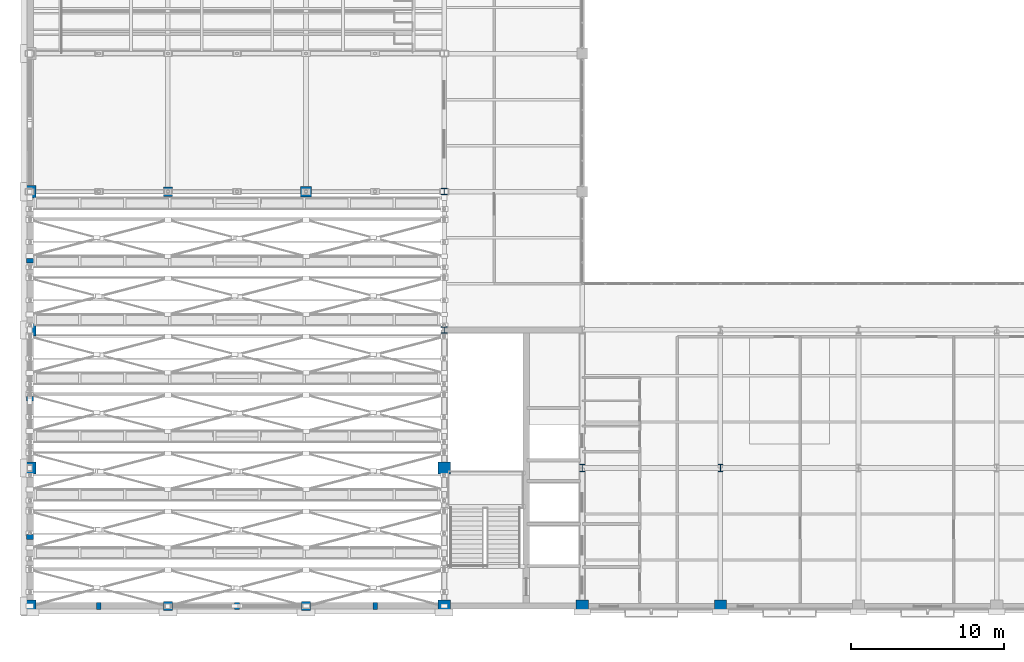
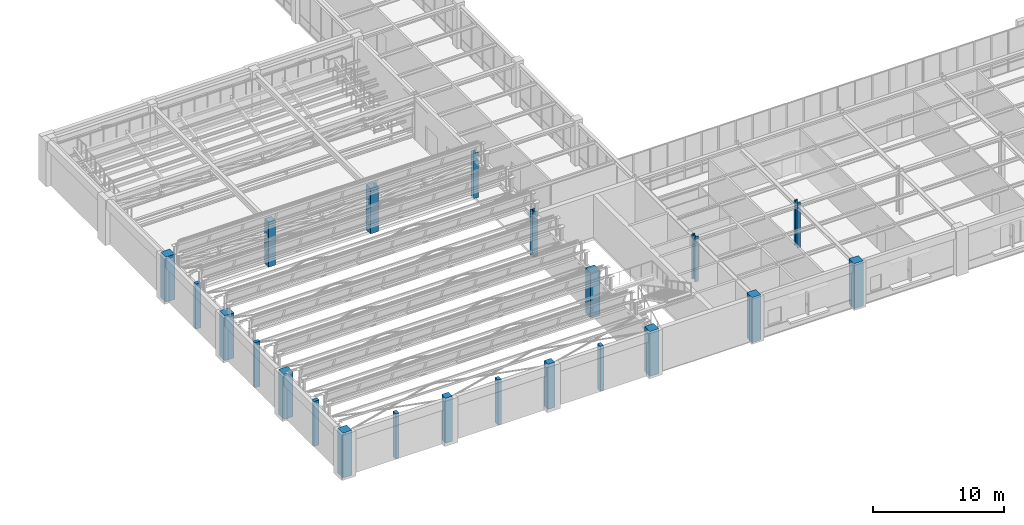
# One storey, part 1 of 108: 22 columns.
"""IFC4 building model written with IfcOpenShell, lengths in metres."""

from ifc_helpers import new_model, si_unit, direction, frame, origin, origin_2d, place, context, subcontext, project, spatial, rectangle, i_section, extrude, material, material_profile, profile_set, type_object, element, save


model = new_model("IFC4")

# Units and contexts
model_context = context("Model", 3, precision=1e-05, world=origin(), true_north=direction((0.0, 1.0)))
body_context = subcontext(model_context, "Body", "Model", "MODEL_VIEW")
ifc_project = project(units=[si_unit("LENGTHUNIT", "METRE"), si_unit("AREAUNIT", "SQUARE_METRE"), si_unit("VOLUMEUNIT", "CUBIC_METRE"), si_unit("PLANEANGLEUNIT", "RADIAN"), si_unit("MASSUNIT", "GRAM", prefix="KILO")], contexts=[model_context])

# Site, building, storey
site_placement = place(None, origin())
site = spatial("IfcSite", under=ifc_project, at=site_placement, CompositionType="ELEMENT")
building_placement = place(site_placement, origin())
building = spatial("IfcBuilding", under=site, at=building_placement, Name="Lykobir Media Centre", CompositionType="ELEMENT")
storey_placement = place(building_placement, frame((0.0, 0.0, 15.0)))
storey = spatial("IfcBuildingStorey", under=building, at=storey_placement, Name="L03", CompositionType="ELEMENT", Elevation=15.0)

# Columns
ifc_material_1 = material(Name="Honed Travertine Stone", Category="masonry")
ifc_material_profile_1 = material_profile(ifc_material_1, rectangle(XDim=0.300048828125, YDim=0.449951171875, at=origin_2d()), Name="RC PILASTER 450x300")
ifc_profile_set_1 = profile_set([ifc_material_profile_1], Name="Honed Travertine Stone")
column_type_1 = type_object("IfcColumnType", Name="PIL-450", PredefinedType="PILASTER", material=ifc_profile_set_1)
for number, where, z_axis, x_axis, name in (
    (1, (4.5, 0.0, 0.0), (0.0, 0.0, 1.0), (1.0, 0.0, 0.0), "V1 south pilaster L03 4.5"),
    (2, (13.5, 0.0, 0.0), (0.0, 0.0, 1.0), (1.0, 0.0, 0.0), "V1 south pilaster L03 13.5"),
    (3, (22.5, 0.0, 0.0), (0.0, 0.0, 1.0), (1.0, 0.0, 0.0), "V1 south pilaster L03 22.5"),
    (4, (0.0, 4.5, 0.0), (0.0, 0.0, 1.0), (0.0, 1.0, 0.0), "V1 west pilaster L03 4.5"),
    (5, (0.0, 13.5, 0.0), (0.0, 0.0, 1.0), (0.0, 1.0, 0.0), "V1 west pilaster L03 13.5"),
    (6, (0.0, 22.5, 0.0), (0.0, 0.0, 1.0), (0.0, 1.0, 0.0), "V1 west pilaster L03 22.5"),
):
    element("IfcColumn", number, at=place(storey_placement, frame(where, z_axis=z_axis, x_axis=x_axis)), inside=storey, type_object=column_type_1, Name=name, PredefinedType="PILASTER", context=body_context, shape_type="SweptSolid", body=[
        extrude(rectangle(XDim=0.300048828125, YDim=0.449951171875, at=origin_2d()), origin(), (0.0, 0.0, 1.0), 4.199951171875),
    ])
ifc_material_2 = material(Name="Concrete C40/50", Category="concrete")
ifc_material_profile_2 = material_profile(ifc_material_2, rectangle(XDim=0.60009765625, YDim=0.60009765625, at=origin_2d()), Name="RC 600x600")
ifc_profile_set_2 = profile_set([ifc_material_profile_2], Name="Concrete C40/50")
column_type_2 = type_object("IfcColumnType", Name="RC-C600", PredefinedType="COLUMN", material=ifc_profile_set_2)
column_1_placement = place(storey_placement, frame((9.0, 27.0, 0.0), z_axis=(0.0, 0.0, 1.0), x_axis=(1.0, 0.0, 0.0)))
element("IfcColumn", 7, at=column_1_placement, inside=storey, type_object=column_type_2, Name="Column COL-L03-0090-0270", PredefinedType="COLUMN", context=body_context, shape_type="SweptSolid", body=[
    extrude(rectangle(XDim=0.60009765625, YDim=0.60009765625, at=origin_2d()), origin(), (0.0, 0.0, 1.0), 4.199951171875),
])
ifc_material_profile_3 = material_profile(ifc_material_2, rectangle(XDim=0.60009765625, YDim=0.60009765625, at=origin_2d()), Name="RC 600x600")
ifc_profile_set_3 = profile_set([ifc_material_profile_3], Name="Concrete C40/50")
column_type_3 = type_object("IfcColumnType", Name="RC-C600-E", PredefinedType="COLUMN", material=ifc_profile_set_3)
for number, where, z_axis, x_axis, name in (
    (8, (9.0, 0.0, 0.0), (0.0, 0.0, 1.0), (1.0, 0.0, 0.0), "Column COL-L03-0090-0000"),
    (9, (18.0, 0.0, 0.0), (0.0, 0.0, 1.0), (1.0, 0.0, 0.0), "Column COL-L03-0180-0000"),
):
    element("IfcColumn", number, at=place(storey_placement, frame(where, z_axis=z_axis, x_axis=x_axis)), inside=storey, type_object=column_type_3, Name=name, PredefinedType="COLUMN", context=body_context, shape_type="SweptSolid", body=[
        extrude(rectangle(XDim=0.60009765625, YDim=0.60009765625, at=origin_2d()), origin(), (0.0, 0.0, 1.0), 4.199951171875),
    ])
ifc_material_profile_4 = material_profile(ifc_material_2, rectangle(XDim=0.699951171875, YDim=0.699951171875, at=origin_2d()), Name="RC 700x700")
ifc_profile_set_4 = profile_set([ifc_material_profile_4], Name="Concrete C40/50")
column_type_4 = type_object("IfcColumnType", Name="RC-C700", PredefinedType="COLUMN", material=ifc_profile_set_4)
column_2_placement = place(storey_placement, frame((18.0, 27.0, 0.0), z_axis=(0.0, 0.0, 1.0), x_axis=(1.0, 0.0, 0.0)))
element("IfcColumn", 10, at=column_2_placement, inside=storey, type_object=column_type_4, Name="Column COL-L03-0180-0270", PredefinedType="COLUMN", context=body_context, shape_type="SweptSolid", body=[
    extrude(rectangle(XDim=0.699951171875, YDim=0.699951171875, at=origin_2d()), origin(), (0.0, 0.0, 1.0), 4.199951171875),
])
ifc_material_profile_5 = material_profile(ifc_material_2, rectangle(XDim=0.800048828125, YDim=0.800048828125, at=origin_2d()), Name="RC 800x800")
ifc_profile_set_5 = profile_set([ifc_material_profile_5], Name="Concrete C40/50")
column_type_5 = type_object("IfcColumnType", Name="RC-C800", PredefinedType="COLUMN", material=ifc_profile_set_5)
column_3_placement = place(storey_placement, frame((27.0, 9.0, 0.0), z_axis=(0.0, 0.0, 1.0), x_axis=(1.0, 0.0, 0.0)))
element("IfcColumn", 11, at=column_3_placement, inside=storey, type_object=column_type_5, Name="Column COL-L03-0270-0090", PredefinedType="COLUMN", context=body_context, shape_type="SweptSolid", body=[
    extrude(rectangle(XDim=0.800048828125, YDim=0.800048828125, at=origin_2d()), origin(), (0.0, 0.0, 1.0), 4.199951171875),
])
ifc_material_profile_6 = material_profile(ifc_material_2, rectangle(XDim=0.800048828125, YDim=0.800048828125, at=origin_2d()), Name="RC 800x800")
ifc_profile_set_6 = profile_set([ifc_material_profile_6], Name="Concrete C40/50")
column_type_6 = type_object("IfcColumnType", Name="RC-C800-E", PredefinedType="COLUMN", material=ifc_profile_set_6)
for number, where, z_axis, x_axis, name in (
    (12, (0.0, 0.0, 0.0), (0.0, 0.0, 1.0), (1.0, 0.0, 0.0), "Column COL-L03-0000-0000"),
    (13, (0.0, 9.0, 0.0), (0.0, 0.0, 1.0), (1.0, 0.0, 0.0), "Column COL-L03-0000-0090"),
    (14, (0.0, 18.0, 0.0), (0.0, 0.0, 1.0), (1.0, 0.0, 0.0), "Column COL-L03-0000-0180"),
    (15, (0.0, 27.0, 0.0), (0.0, 0.0, 1.0), (1.0, 0.0, 0.0), "Column COL-L03-0000-0270"),
    (16, (27.0, 0.0, 0.0), (0.0, 0.0, 1.0), (1.0, 0.0, 0.0), "Column COL-L03-0270-0000"),
    (17, (36.0, 0.0, 0.0), (0.0, 0.0, 1.0), (1.0, 0.0, 0.0), "Column COL-L03-0360-0000"),
    (18, (45.0, 0.0, 0.0), (0.0, 0.0, 1.0), (1.0, 0.0, 0.0), "Column COL-L03-0450-0000"),
):
    element("IfcColumn", number, at=place(storey_placement, frame(where, z_axis=z_axis, x_axis=x_axis)), inside=storey, type_object=column_type_6, Name=name, PredefinedType="COLUMN", context=body_context, shape_type="SweptSolid", body=[
        extrude(rectangle(XDim=0.800048828125, YDim=0.800048828125, at=origin_2d()), origin(), (0.0, 0.0, 1.0), 4.199951171875),
    ])
ifc_material_3 = material(Name="Steel S355", Category="steel")
ifc_material_profile_7 = material_profile(ifc_material_3, i_section(OverallWidth=0.410888671875, OverallDepth=0.425048828125, WebThickness=0.021484375, FlangeThickness=0.031982421875, at=origin_2d()), Name="HD 400x421")
ifc_profile_set_7 = profile_set([ifc_material_profile_7], Name="Steel S355")
column_type_7 = type_object("IfcColumnType", Name="SC-HD421", PredefinedType="COLUMN", material=ifc_profile_set_7)
for number, where, z_axis, x_axis, name in (
    (19, (27.0, 18.0, 0.0), (0.0, 0.0, 1.0), (1.0, 0.0, 0.0), "Column COL-L03-0270-0180"),
    (20, (27.0, 27.0, 0.0), (0.0, 0.0, 1.0), (1.0, 0.0, 0.0), "Column COL-L03-0270-0270"),
):
    element("IfcColumn", number, at=place(storey_placement, frame(where, z_axis=z_axis, x_axis=x_axis)), inside=storey, type_object=column_type_7, Name=name, PredefinedType="COLUMN", context=body_context, shape_type="SweptSolid", body=[
        extrude(i_section(OverallWidth=0.410888671875, OverallDepth=0.425048828125, WebThickness=0.021484375, FlangeThickness=0.031982421875, at=origin_2d()), origin(), (0.0, 0.0, 1.0), 4.199951171875),
    ])
ifc_material_profile_8 = material_profile(ifc_material_3, i_section(OverallWidth=0.300048828125, OverallDepth=0.5, WebThickness=0.014404296875, FlangeThickness=0.028076171875, at=origin_2d()), Name="HEB 500")
ifc_profile_set_8 = profile_set([ifc_material_profile_8], Name="Steel S355")
column_type_8 = type_object("IfcColumnType", Name="SC-HEB500", PredefinedType="COLUMN", material=ifc_profile_set_8)
for number, where, z_axis, x_axis, name in (
    (21, (36.0, 9.0, 0.0), (0.0, 0.0, 1.0), (1.0, 0.0, 0.0), "Column COL-L03-0360-0090"),
    (22, (45.0, 9.0, 0.0), (0.0, 0.0, 1.0), (1.0, 0.0, 0.0), "Column COL-L03-0450-0090"),
):
    element("IfcColumn", number, at=place(storey_placement, frame(where, z_axis=z_axis, x_axis=x_axis)), inside=storey, type_object=column_type_8, Name=name, PredefinedType="COLUMN", context=body_context, shape_type="SweptSolid", body=[
        extrude(i_section(OverallWidth=0.300048828125, OverallDepth=0.5, WebThickness=0.014404296875, FlangeThickness=0.028076171875, at=origin_2d()), origin(), (0.0, 0.0, 1.0), 4.199951171875),
    ])

save(model, "model.ifc")
